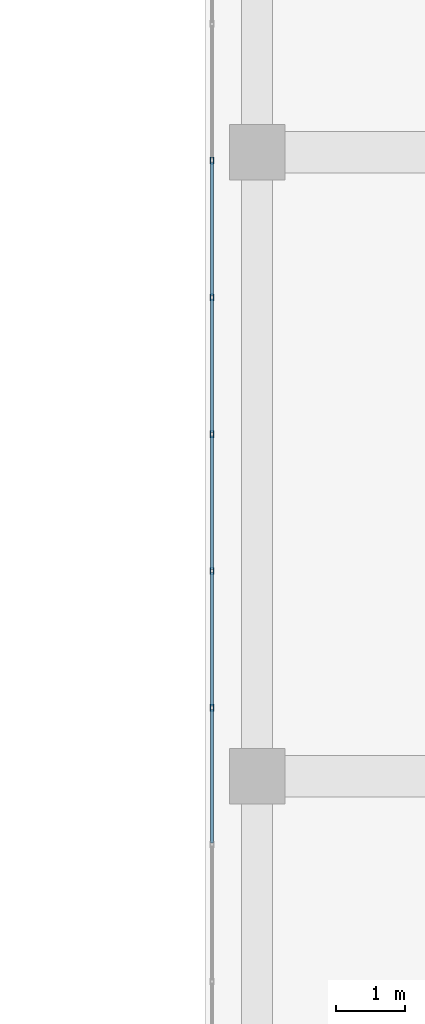
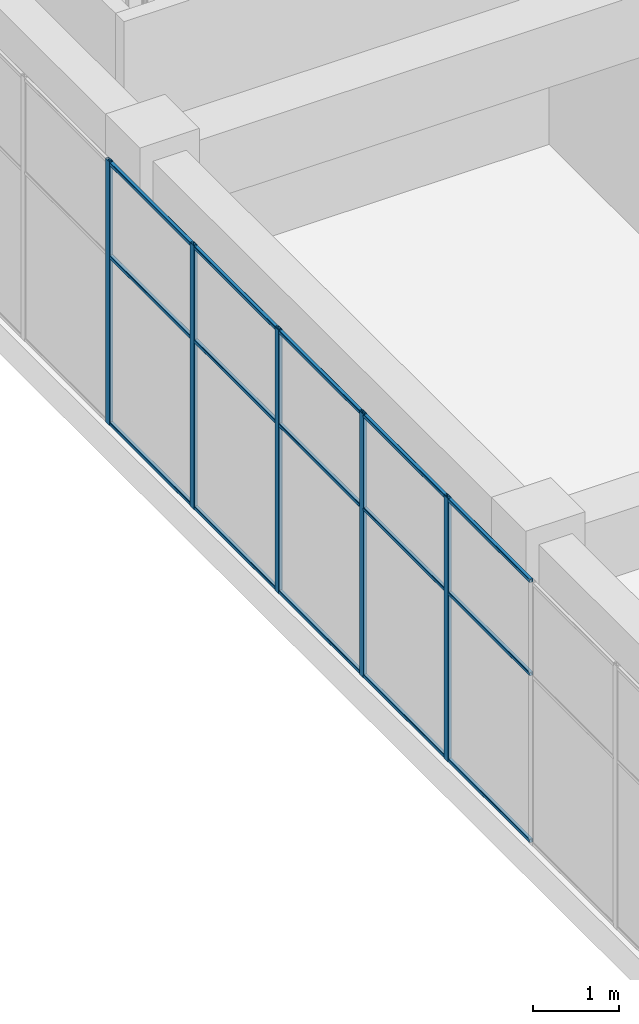
# One storey, part 42 of 81: 20 members, 1 element without a shape of its own.
"""IFC4 building model written with IfcOpenShell, lengths in metres."""

from ifc_helpers import new_model, si_unit, direction, frame, origin, origin_2d, place, context, subcontext, project, spatial, hollow_rectangle, extrude, material, layer, layer_set, material_profile, profile_set, type_object, element, aggregate, save


model = new_model("IFC4")

# Units and contexts
model_context = context("Model", 3, precision=1e-05, world=origin(), true_north=direction((0.0, 1.0)))
body_context = subcontext(model_context, "Body", "Model", "MODEL_VIEW")
ifc_project = project(units=[si_unit("LENGTHUNIT", "METRE"), si_unit("AREAUNIT", "SQUARE_METRE"), si_unit("VOLUMEUNIT", "CUBIC_METRE"), si_unit("PLANEANGLEUNIT", "RADIAN"), si_unit("MASSUNIT", "GRAM", prefix="KILO")], contexts=[model_context])

# Site, building, storey
site_placement = place(None, origin())
site = spatial("IfcSite", under=ifc_project, at=site_placement, CompositionType="ELEMENT")
building_placement = place(site_placement, origin())
building = spatial("IfcBuilding", under=site, at=building_placement, Name="Tuart Plaza Theatre", CompositionType="ELEMENT")
storey_placement = place(building_placement, frame((0.0, 0.0, 17.5)))
storey = spatial("IfcBuildingStorey", under=building, at=storey_placement, Name="L04", CompositionType="ELEMENT", Elevation=17.5)

# Curtain wall, members
ifc_material_1 = material(Name="Aluminium and glass", Category="aluminium")
ifc_layer = layer(ifc_material_1, 0.10009765625)
ifc_layer_set = layer_set([ifc_layer], Name="CURTAIN WALL 2000 module")
curtain_wall_type = type_object("IfcCurtainWallType", Name="CURTAIN WALL 2000 module", PredefinedType="NOTDEFINED", material=ifc_layer_set)
curtain_wall_placement = place(storey_placement, origin())
curtain_wall = element("IfcCurtainWall", 1, at=curtain_wall_placement, inside=storey, type_object=curtain_wall_type, Name="CW86", PredefinedType="NOTDEFINED")
ifc_material_2 = material(Name="Aluminium 6063-T5", Category="aluminium")
ifc_material_profile_1 = material_profile(ifc_material_2, hollow_rectangle(XDim=0.050048828125, YDim=0.10009765625, WallThickness=0.00390625, InnerFilletRadius=0.00390625, OuterFilletRadius=0.008056640625, at=origin_2d()), Name="RHS 100x50x4")
ifc_profile_set_1 = profile_set([ifc_material_profile_1], Name="Aluminium 6063-T5")
member_type_1 = type_object("IfcMemberType", Name="MULLION RHS 100x50x4", PredefinedType="MULLION", material=ifc_profile_set_1)
member_1_placement = place(storey_placement, frame((113.35009765625, 82.881591796875, 0.0), z_axis=(0.0, 0.0, 1.0), x_axis=(1.0, 0.0, 0.0)))
member_1 = element("IfcMember", 2, at=member_1_placement, type_object=member_type_1, Name="CW86 mullion 6", PredefinedType="MULLION", context=body_context, shape_type="SweptSolid", body=[
    extrude(hollow_rectangle(XDim=0.050048828125, YDim=0.10009765625, WallThickness=0.00390625, InnerFilletRadius=0.00390625, OuterFilletRadius=0.008056640625, at=origin_2d()), origin(), (0.0, 0.0, 1.0), 3.75),
])
member_2_placement = place(storey_placement, frame((113.35009765625, 80.907958984375, 0.0), z_axis=(0.0, 0.0, 1.0), x_axis=(1.0, 0.0, 0.0)))
member_2 = element("IfcMember", 3, at=member_2_placement, type_object=member_type_1, Name="CW86 mullion 7", PredefinedType="MULLION", context=body_context, shape_type="SweptSolid", body=[
    extrude(hollow_rectangle(XDim=0.050048828125, YDim=0.10009765625, WallThickness=0.00390625, InnerFilletRadius=0.00390625, OuterFilletRadius=0.008056640625, at=origin_2d()), origin(), (0.0, 0.0, 1.0), 3.75),
])
member_3_placement = place(storey_placement, frame((113.35009765625, 78.934326171875, 0.0), z_axis=(0.0, 0.0, 1.0), x_axis=(1.0, 0.0, 0.0)))
member_3 = element("IfcMember", 4, at=member_3_placement, type_object=member_type_1, Name="CW86 mullion 8", PredefinedType="MULLION", context=body_context, shape_type="SweptSolid", body=[
    extrude(hollow_rectangle(XDim=0.050048828125, YDim=0.10009765625, WallThickness=0.00390625, InnerFilletRadius=0.00390625, OuterFilletRadius=0.008056640625, at=origin_2d()), origin(), (0.0, 0.0, 1.0), 3.75),
])
member_4_placement = place(storey_placement, frame((113.35009765625, 76.96044921875, 0.0), z_axis=(0.0, 0.0, 1.0), x_axis=(1.0, 0.0, 0.0)))
member_4 = element("IfcMember", 5, at=member_4_placement, type_object=member_type_1, Name="CW86 mullion 9", PredefinedType="MULLION", context=body_context, shape_type="SweptSolid", body=[
    extrude(hollow_rectangle(XDim=0.050048828125, YDim=0.10009765625, WallThickness=0.00390625, InnerFilletRadius=0.00390625, OuterFilletRadius=0.008056640625, at=origin_2d()), origin(), (0.0, 0.0, 1.0), 3.75),
])
member_5_placement = place(storey_placement, frame((113.35009765625, 74.98681640625, 0.0), z_axis=(0.0, 0.0, 1.0), x_axis=(1.0, 0.0, 0.0)))
member_5 = element("IfcMember", 6, at=member_5_placement, type_object=member_type_1, Name="CW86 mullion 10", PredefinedType="MULLION", context=body_context, shape_type="SweptSolid", body=[
    extrude(hollow_rectangle(XDim=0.050048828125, YDim=0.10009765625, WallThickness=0.00390625, InnerFilletRadius=0.00390625, OuterFilletRadius=0.008056640625, at=origin_2d()), origin(), (0.0, 0.0, 1.0), 3.75),
])
ifc_material_3 = material(Name="Aluminium 6063-T5", Category="aluminium")
ifc_material_profile_2 = material_profile(ifc_material_3, hollow_rectangle(XDim=0.050048828125, YDim=0.050048828125, WallThickness=0.00390625, InnerFilletRadius=0.00390625, OuterFilletRadius=0.008056640625, at=origin_2d()), Name="RHS 50x50x4")
ifc_profile_set_2 = profile_set([ifc_material_profile_2], Name="Aluminium 6063-T5")
member_type_2 = type_object("IfcMemberType", Name="TRANSOM RHS 50x50x4", PredefinedType="USERDEFINED", material=ifc_profile_set_2)
member_6_placement = place(storey_placement, frame((113.35009765625, 82.856689453125, 0.02490234375), z_axis=(0.0, -1.0, 0.0), x_axis=(1.0, 0.0, 0.0)))
member_6 = element("IfcMember", 7, at=member_6_placement, type_object=member_type_2, Name="CW86 transom 6.1", ObjectType="TRANSOM", PredefinedType="USERDEFINED", context=body_context, shape_type="SweptSolid", body=[
    extrude(hollow_rectangle(XDim=0.050048828125, YDim=0.050048828125, WallThickness=0.00390625, InnerFilletRadius=0.00390625, OuterFilletRadius=0.008056640625, at=origin_2d()), origin(), (0.0, 0.0, 1.0), 1.923828125),
])
member_7_placement = place(storey_placement, frame((113.35009765625, 82.856689453125, 2.39990234375), z_axis=(0.0, -1.0, 0.0), x_axis=(1.0, 0.0, 0.0)))
member_7 = element("IfcMember", 8, at=member_7_placement, type_object=member_type_2, Name="CW86 transom 6.2", ObjectType="TRANSOM", PredefinedType="USERDEFINED", context=body_context, shape_type="SweptSolid", body=[
    extrude(hollow_rectangle(XDim=0.050048828125, YDim=0.050048828125, WallThickness=0.00390625, InnerFilletRadius=0.00390625, OuterFilletRadius=0.008056640625, at=origin_2d()), origin(), (0.0, 0.0, 1.0), 1.923828125),
])
member_8_placement = place(storey_placement, frame((113.35009765625, 82.856689453125, 3.72509765625), z_axis=(0.0, -1.0, 0.0), x_axis=(1.0, 0.0, 0.0)))
member_8 = element("IfcMember", 9, at=member_8_placement, type_object=member_type_2, Name="CW86 transom 6.3", ObjectType="TRANSOM", PredefinedType="USERDEFINED", context=body_context, shape_type="SweptSolid", body=[
    extrude(hollow_rectangle(XDim=0.050048828125, YDim=0.050048828125, WallThickness=0.00390625, InnerFilletRadius=0.00390625, OuterFilletRadius=0.008056640625, at=origin_2d()), origin(), (0.0, 0.0, 1.0), 1.923828125),
])
member_9_placement = place(storey_placement, frame((113.35009765625, 80.8828125, 0.02490234375), z_axis=(0.0, -1.0, 0.0), x_axis=(1.0, 0.0, 0.0)))
member_9 = element("IfcMember", 10, at=member_9_placement, type_object=member_type_2, Name="CW86 transom 7.1", ObjectType="TRANSOM", PredefinedType="USERDEFINED", context=body_context, shape_type="SweptSolid", body=[
    extrude(hollow_rectangle(XDim=0.050048828125, YDim=0.050048828125, WallThickness=0.00390625, InnerFilletRadius=0.00390625, OuterFilletRadius=0.008056640625, at=origin_2d()), origin(), (0.0, 0.0, 1.0), 1.923583984375),
])
member_10_placement = place(storey_placement, frame((113.35009765625, 80.8828125, 2.39990234375), z_axis=(0.0, -1.0, 0.0), x_axis=(1.0, 0.0, 0.0)))
member_10 = element("IfcMember", 11, at=member_10_placement, type_object=member_type_2, Name="CW86 transom 7.2", ObjectType="TRANSOM", PredefinedType="USERDEFINED", context=body_context, shape_type="SweptSolid", body=[
    extrude(hollow_rectangle(XDim=0.050048828125, YDim=0.050048828125, WallThickness=0.00390625, InnerFilletRadius=0.00390625, OuterFilletRadius=0.008056640625, at=origin_2d()), origin(), (0.0, 0.0, 1.0), 1.923583984375),
])
member_11_placement = place(storey_placement, frame((113.35009765625, 80.8828125, 3.72509765625), z_axis=(0.0, -1.0, 0.0), x_axis=(1.0, 0.0, 0.0)))
member_11 = element("IfcMember", 12, at=member_11_placement, type_object=member_type_2, Name="CW86 transom 7.3", ObjectType="TRANSOM", PredefinedType="USERDEFINED", context=body_context, shape_type="SweptSolid", body=[
    extrude(hollow_rectangle(XDim=0.050048828125, YDim=0.050048828125, WallThickness=0.00390625, InnerFilletRadius=0.00390625, OuterFilletRadius=0.008056640625, at=origin_2d()), origin(), (0.0, 0.0, 1.0), 1.923583984375),
])
member_12_placement = place(storey_placement, frame((113.35009765625, 78.9091796875, 0.02490234375), z_axis=(0.0, -1.0, 0.0), x_axis=(1.0, 0.0, 0.0)))
member_12 = element("IfcMember", 13, at=member_12_placement, type_object=member_type_2, Name="CW86 transom 8.1", ObjectType="TRANSOM", PredefinedType="USERDEFINED", context=body_context, shape_type="SweptSolid", body=[
    extrude(hollow_rectangle(XDim=0.050048828125, YDim=0.050048828125, WallThickness=0.00390625, InnerFilletRadius=0.00390625, OuterFilletRadius=0.008056640625, at=origin_2d()), origin(), (0.0, 0.0, 1.0), 1.923583984375),
])
member_13_placement = place(storey_placement, frame((113.35009765625, 78.9091796875, 2.39990234375), z_axis=(0.0, -1.0, 0.0), x_axis=(1.0, 0.0, 0.0)))
member_13 = element("IfcMember", 14, at=member_13_placement, type_object=member_type_2, Name="CW86 transom 8.2", ObjectType="TRANSOM", PredefinedType="USERDEFINED", context=body_context, shape_type="SweptSolid", body=[
    extrude(hollow_rectangle(XDim=0.050048828125, YDim=0.050048828125, WallThickness=0.00390625, InnerFilletRadius=0.00390625, OuterFilletRadius=0.008056640625, at=origin_2d()), origin(), (0.0, 0.0, 1.0), 1.923583984375),
])
member_14_placement = place(storey_placement, frame((113.35009765625, 78.9091796875, 3.72509765625), z_axis=(0.0, -1.0, 0.0), x_axis=(1.0, 0.0, 0.0)))
member_14 = element("IfcMember", 15, at=member_14_placement, type_object=member_type_2, Name="CW86 transom 8.3", ObjectType="TRANSOM", PredefinedType="USERDEFINED", context=body_context, shape_type="SweptSolid", body=[
    extrude(hollow_rectangle(XDim=0.050048828125, YDim=0.050048828125, WallThickness=0.00390625, InnerFilletRadius=0.00390625, OuterFilletRadius=0.008056640625, at=origin_2d()), origin(), (0.0, 0.0, 1.0), 1.923583984375),
])
member_15_placement = place(storey_placement, frame((113.35009765625, 76.935546875, 0.02490234375), z_axis=(0.0, -1.0, 0.0), x_axis=(1.0, 0.0, 0.0)))
member_15 = element("IfcMember", 16, at=member_15_placement, type_object=member_type_2, Name="CW86 transom 9.1", ObjectType="TRANSOM", PredefinedType="USERDEFINED", context=body_context, shape_type="SweptSolid", body=[
    extrude(hollow_rectangle(XDim=0.050048828125, YDim=0.050048828125, WallThickness=0.00390625, InnerFilletRadius=0.00390625, OuterFilletRadius=0.008056640625, at=origin_2d()), origin(), (0.0, 0.0, 1.0), 1.923583984375),
])
member_16_placement = place(storey_placement, frame((113.35009765625, 76.935546875, 2.39990234375), z_axis=(0.0, -1.0, 0.0), x_axis=(1.0, 0.0, 0.0)))
member_16 = element("IfcMember", 17, at=member_16_placement, type_object=member_type_2, Name="CW86 transom 9.2", ObjectType="TRANSOM", PredefinedType="USERDEFINED", context=body_context, shape_type="SweptSolid", body=[
    extrude(hollow_rectangle(XDim=0.050048828125, YDim=0.050048828125, WallThickness=0.00390625, InnerFilletRadius=0.00390625, OuterFilletRadius=0.008056640625, at=origin_2d()), origin(), (0.0, 0.0, 1.0), 1.923583984375),
])
member_17_placement = place(storey_placement, frame((113.35009765625, 76.935546875, 3.72509765625), z_axis=(0.0, -1.0, 0.0), x_axis=(1.0, 0.0, 0.0)))
member_17 = element("IfcMember", 18, at=member_17_placement, type_object=member_type_2, Name="CW86 transom 9.3", ObjectType="TRANSOM", PredefinedType="USERDEFINED", context=body_context, shape_type="SweptSolid", body=[
    extrude(hollow_rectangle(XDim=0.050048828125, YDim=0.050048828125, WallThickness=0.00390625, InnerFilletRadius=0.00390625, OuterFilletRadius=0.008056640625, at=origin_2d()), origin(), (0.0, 0.0, 1.0), 1.923583984375),
])
member_18_placement = place(storey_placement, frame((113.35009765625, 74.9619140625, 0.02490234375), z_axis=(0.0, -1.0, 0.0), x_axis=(1.0, 0.0, 0.0)))
member_18 = element("IfcMember", 19, at=member_18_placement, type_object=member_type_2, Name="CW86 transom 10.1", ObjectType="TRANSOM", PredefinedType="USERDEFINED", context=body_context, shape_type="SweptSolid", body=[
    extrude(hollow_rectangle(XDim=0.050048828125, YDim=0.050048828125, WallThickness=0.00390625, InnerFilletRadius=0.00390625, OuterFilletRadius=0.008056640625, at=origin_2d()), origin(), (0.0, 0.0, 1.0), 1.923828125),
])
member_19_placement = place(storey_placement, frame((113.35009765625, 74.9619140625, 2.39990234375), z_axis=(0.0, -1.0, 0.0), x_axis=(1.0, 0.0, 0.0)))
member_19 = element("IfcMember", 20, at=member_19_placement, type_object=member_type_2, Name="CW86 transom 10.2", ObjectType="TRANSOM", PredefinedType="USERDEFINED", context=body_context, shape_type="SweptSolid", body=[
    extrude(hollow_rectangle(XDim=0.050048828125, YDim=0.050048828125, WallThickness=0.00390625, InnerFilletRadius=0.00390625, OuterFilletRadius=0.008056640625, at=origin_2d()), origin(), (0.0, 0.0, 1.0), 1.923828125),
])
member_20_placement = place(storey_placement, frame((113.35009765625, 74.9619140625, 3.72509765625), z_axis=(0.0, -1.0, 0.0), x_axis=(1.0, 0.0, 0.0)))
member_20 = element("IfcMember", 21, at=member_20_placement, type_object=member_type_2, Name="CW86 transom 10.3", ObjectType="TRANSOM", PredefinedType="USERDEFINED", context=body_context, shape_type="SweptSolid", body=[
    extrude(hollow_rectangle(XDim=0.050048828125, YDim=0.050048828125, WallThickness=0.00390625, InnerFilletRadius=0.00390625, OuterFilletRadius=0.008056640625, at=origin_2d()), origin(), (0.0, 0.0, 1.0), 1.923828125),
])
aggregate(curtain_wall, [member_1, member_2, member_3, member_4, member_5, member_6, member_7, member_8, member_9, member_10, member_11, member_12, member_13, member_14, member_15, member_16, member_17, member_18, member_19, member_20])

save(model, "model.ifc")
